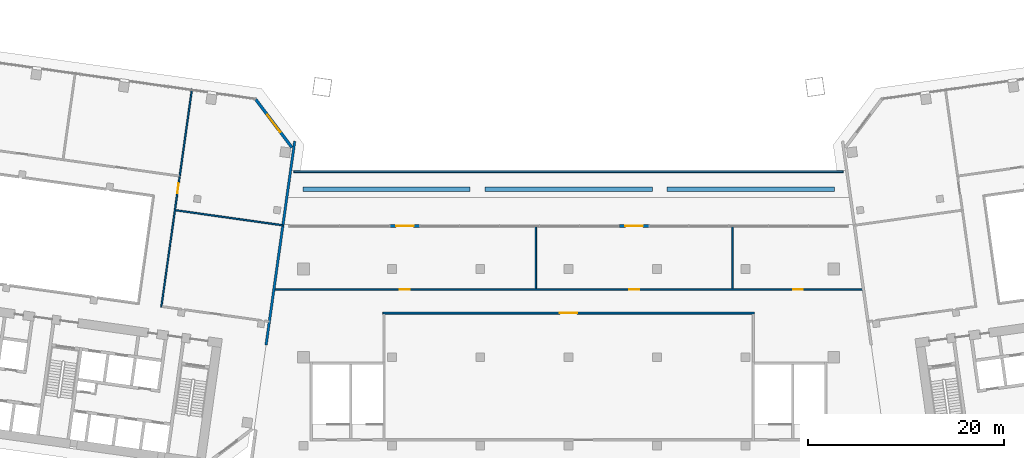
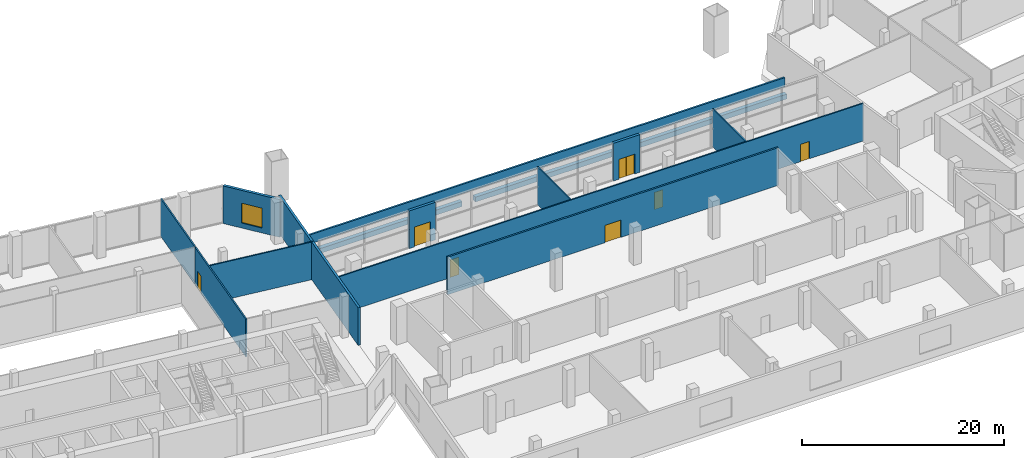
# One storey, part 14 of 21: 15 walls, 7 doors, 1 window, 8 openings.
"""IFC4 building model written with IfcOpenShell, lengths in metres."""

import ifcopenshell
import ifcopenshell.guid

model = None  # the IFC model being written
_history = None  # IfcOwnerHistory: only IFC2X3 demands one
_inside = {}  # id of a spatial element -> (the spatial element, [elements in it])
_under = {}  # id of a project, library or spatial element -> (it, [spatial elements below it])
_declared = {}  # id of a project -> (the project, [libraries it declares])
_typed = {}  # id of a type object -> (the type object, [elements of that type])
_made_of = {}  # id of a material, layer set ... -> (it, [elements and type objects made of it])


def new_model(schema):
    """Start an empty IFC model of exactly this schema.

    Asked for "IFC4X3", IfcOpenShell would pick the latest addendum, in which some entities
    have other attributes; the version numbers below select the first issue.
    IFC2X3 requires an IfcOwnerHistory on every rooted entity: one is made here for all.
    """
    global model, _history
    if schema == "IFC4X3":
        model = ifcopenshell.file(schema_version=(4, 3, 0, 0))
    else:
        model = ifcopenshell.file(schema=schema)
    _inside.clear()
    _under.clear()
    _declared.clear()
    _typed.clear()
    _made_of.clear()
    _history = None
    if model.schema == "IFC2X3":
        org = make("IfcOrganization", Name="unknown")
        user = make(
            "IfcPersonAndOrganization",
            ThePerson=make("IfcPerson", FamilyName="unknown"),
            TheOrganization=org,
        )
        app = make(
            "IfcApplication",
            ApplicationDeveloper=org,
            Version="unknown",
            ApplicationFullName="unknown",
            ApplicationIdentifier="unknown",
        )
        _history = make(
            "IfcOwnerHistory",
            OwningUser=user,
            OwningApplication=app,
            ChangeAction="ADDED",
            CreationDate=0,
        )
    return model


def make(cls, **values):
    """One entity of the class cls with the attributes given. An attribute that is None is left unset."""
    return model.create_entity(
        cls, **{name: value for name, value in values.items() if value is not None}
    )


def rooted(cls, **values):
    """An entity with a GlobalId (a new one), such as an element, a storey or a relation."""
    return make(cls, GlobalId=ifcopenshell.guid.new(), OwnerHistory=_history, **values)


def si_unit(unit_type, name, prefix=None):
    """IfcSIUnit, for example si_unit("LENGTHUNIT", "METRE", prefix="MILLI")."""
    return make("IfcSIUnit", UnitType=unit_type, Prefix=prefix, Name=name)


def assignment(units):
    """IfcUnitAssignment: the units of a project."""
    return None if units is None else make("IfcUnitAssignment", Units=units)


def point(xyz):
    """IfcCartesianPoint."""
    return None if xyz is None else make("IfcCartesianPoint", Coordinates=xyz)


def direction(xyz):
    """IfcDirection."""
    return None if xyz is None else make("IfcDirection", DirectionRatios=xyz)


def frame(location, z_axis=None, x_axis=None):
    """IfcAxis2Placement3D, a coordinate frame: its origin and axes. An axis left out is left unset."""
    return make(
        "IfcAxis2Placement3D",
        Location=point(location),
        Axis=direction(z_axis),
        RefDirection=direction(x_axis),
    )


def frame_2d(location, x_axis=None):
    """IfcAxis2Placement2D, a coordinate frame in the plane: its origin and x axis."""
    return make(
        "IfcAxis2Placement2D", Location=point(location), RefDirection=direction(x_axis)
    )


def origin():
    """The frame at (0, 0, 0) with its axes left unset."""
    return frame((0.0, 0.0, 0.0))


def place(relative_to, where):
    """IfcLocalPlacement: puts the frame where relative to a parent placement (None: the world)."""
    return make(
        "IfcLocalPlacement", PlacementRelTo=relative_to, RelativePlacement=where
    )


def context(
    kind, dimensions, precision=None, world=None, true_north=None, identifier=None
):
    """IfcGeometricRepresentationContext, for example the 3D "Model" context."""
    return make(
        "IfcGeometricRepresentationContext",
        ContextIdentifier=identifier,
        ContextType=kind,
        CoordinateSpaceDimension=dimensions,
        Precision=precision,
        WorldCoordinateSystem=world,
        TrueNorth=true_north,
    )


def subcontext(parent, identifier, kind, view, scale=None):
    """IfcGeometricRepresentationSubContext, for example "Body" below "Model"."""
    return make(
        "IfcGeometricRepresentationSubContext",
        ContextIdentifier=identifier,
        ContextType=kind,
        ParentContext=parent,
        TargetScale=scale,
        TargetView=view,
    )


def project(units=None, contexts=None):
    """IfcProject with its units and contexts."""
    return rooted(
        "IfcProject",
        Name="project",
        RepresentationContexts=contexts,
        UnitsInContext=assignment(units),
    )


def spatial(cls, under=None, at=None, **own):
    """A site, building, storey or space (cls), placed at a placement, below another one or the project."""
    s = rooted(cls, ObjectPlacement=at, **own)
    if under is not None:
        _under.setdefault(under.id(), (under, []))[1].append(s)
    return s


def profile(cls, at=None, kind="AREA", **sizes):
    """A parametric profile (cls). Its sizes go by their IFC names, for example OverallWidth=200.0."""
    return make(cls, ProfileType=kind, Position=at, **sizes)


def rectangle(**sizes):
    """IfcRectangleProfileDef."""
    return profile("IfcRectangleProfileDef", **sizes)


def extrude(swept, where, along, depth):
    """IfcExtrudedAreaSolid: the profile swept, set in the frame where, extruded along a direction by depth."""
    return make(
        "IfcExtrudedAreaSolid",
        SweptArea=swept,
        Position=where,
        ExtrudedDirection=direction(along),
        Depth=depth,
    )


def shape(context_of_items, identifier, shape_type, items):
    """IfcShapeRepresentation: the items that make up one representation, for example the "Body"."""
    return make(
        "IfcShapeRepresentation",
        ContextOfItems=context_of_items,
        RepresentationIdentifier=identifier,
        RepresentationType=shape_type,
        Items=items,
    )


def material(Name=None, Category=None):
    """IfcMaterial."""
    return make("IfcMaterial", Name=Name, Category=Category)


def layer(
    of_material, thickness, ventilated=None, Name=None, Category=None, Priority=None
):
    """IfcMaterialLayer: one layer of a wall or slab, of a material (None: an air gap)."""
    return make(
        "IfcMaterialLayer",
        Material=of_material,
        LayerThickness=thickness,
        IsVentilated=ventilated,
        Name=Name,
        Category=Category,
        Priority=Priority,
    )


def layer_set(layers, Name=None):
    """IfcMaterialLayerSet."""
    return make("IfcMaterialLayerSet", MaterialLayers=layers, LayerSetName=Name)


def made_of(thing, what):
    """Note that an element or type object is made of a material, layer set ...; save() writes the relation."""
    if what is not None:
        _made_of.setdefault(what.id(), (what, []))[1].append(thing)
    return thing


def type_object(cls, material=None, **own):
    """A type object (cls), such as IfcWallType, which elements share."""
    return made_of(rooted(cls, **own), material)


def element(
    cls,
    number,
    at=None,
    inside=None,
    cuts=None,
    type_object=None,
    material=None,
    context=None,
    identifier="Body",
    shape_type=None,
    held_by="IfcProductDefinitionShape",
    body=None,
    shapes=None,
    **own,
):
    """One element of the class cls, such as IfcWall. Its Tag is "e" and its number.

    at: its placement. inside: the storey or other place that contains it. cuts: it is an
    opening in that element (IfcRelVoidsElement). A single representation is given by context,
    identifier, shape_type and body (its items); several are given by shapes. held_by: the class
    of the entity that holds the representations. save() writes the other relations.
    """
    e = rooted(cls, Tag="e%d" % number, ObjectPlacement=at, **own)
    if body is not None:
        shapes = [shape(context, identifier, shape_type, body)]
    if shapes is not None:
        e.Representation = make(held_by, Representations=shapes)
    if inside is not None:
        _inside.setdefault(inside.id(), (inside, []))[1].append(e)
    if cuts is not None:
        rooted(
            "IfcRelVoidsElement", RelatingBuildingElement=cuts, RelatedOpeningElement=e
        )
    if type_object is not None:
        _typed.setdefault(type_object.id(), (type_object, []))[1].append(e)
    return made_of(e, material)


def fill(opening, filler):
    """IfcRelFillsElement: the door or window that sits in an opening."""
    return rooted(
        "IfcRelFillsElement",
        RelatingOpeningElement=opening,
        RelatedBuildingElement=filler,
    )


def aggregate(whole, parts):
    """IfcRelAggregates: a whole, such as a stair, and the parts it consists of."""
    return rooted("IfcRelAggregates", RelatingObject=whole, RelatedObjects=parts)


def save(model, path):
    """Write the relations noted so far, then the file.

    IfcRelAggregates (storeys below a building ...), IfcRelContainedInSpatialStructure (elements
    in a storey), IfcRelDefinesByType, IfcRelAssociatesMaterial and IfcRelDeclares: one each for
    every whole, place, type object, material and project.
    """
    for whole, parts in _under.values():
        aggregate(whole, parts)
    for where, things in _inside.values():
        rooted(
            "IfcRelContainedInSpatialStructure",
            RelatedElements=things,
            RelatingStructure=where,
        )
    for kind, things in _typed.values():
        rooted("IfcRelDefinesByType", RelatedObjects=things, RelatingType=kind)
    for what, things in _made_of.values():
        rooted("IfcRelAssociatesMaterial", RelatedObjects=things, RelatingMaterial=what)
    for by, libraries in _declared.values():
        rooted("IfcRelDeclares", RelatingContext=by, RelatedDefinitions=libraries)
    model.write(path)


model = new_model("IFC4")

# Units and contexts
model_context = context("Model", 3, precision=1e-05, world=origin(), true_north=direction((0.0, 1.0)))
body_context = subcontext(model_context, "Body", "Model", "MODEL_VIEW")
ifc_project = project(units=[si_unit("LENGTHUNIT", "METRE"), si_unit("AREAUNIT", "SQUARE_METRE"), si_unit("VOLUMEUNIT", "CUBIC_METRE"), si_unit("PLANEANGLEUNIT", "RADIAN"), si_unit("MASSUNIT", "GRAM", prefix="KILO")], contexts=[model_context])

# Site, building, storey
site_placement = place(None, origin())
site = spatial("IfcSite", under=ifc_project, at=site_placement, CompositionType="ELEMENT")
building_placement = place(site_placement, origin())
building = spatial("IfcBuilding", under=site, at=building_placement, Name="Mirante Cascada Hotel Towers", CompositionType="ELEMENT")
storey_placement = place(building_placement, frame((0.0, 0.0, 34.5)))
storey = spatial("IfcBuildingStorey", under=building, at=storey_placement, Name="L05", CompositionType="ELEMENT", Elevation=34.5)

# Wall, openings, doors
ifc_material_1 = material(Name="Masonry block", Category="masonry")
ifc_layer_1 = layer(ifc_material_1, 0.15)
ifc_layer_set_1 = layer_set([ifc_layer_1], Name="Corridor wall 150 block")
wall_type_1 = type_object("IfcWallType", Name="Corridor wall 150 block", PredefinedType="PARTITIONING", material=ifc_layer_set_1)
wall_1_placement = place(storey_placement, frame((-30.0141, -2.1, 0.0), z_axis=(0.0, 0.0, 1.0), x_axis=(1.0, 0.0, 0.0)))
wall_1 = element("IfcWall", 1, at=wall_1_placement, inside=storey, type_object=wall_type_1, Name="Corridor wall P L05", PredefinedType="PARTITIONING", context=body_context, shape_type="SweptSolid", body=[
    extrude(rectangle(XDim=60.0282, YDim=0.15, at=frame_2d((30.0141, 0.0))), origin(), (0.0, 0.0, 1.0), 4.55),
])
opening_1_placement = place(wall_1_placement, frame((12.8396, 0.0, 0.0)))
opening_1 = element("IfcOpeningElement", 2, at=opening_1_placement, cuts=wall_1, Name="Opening DP-L05-12", PredefinedType="OPENING", context=body_context, shape_type="SweptSolid", body=[
    extrude(rectangle(XDim=1.0, YDim=2.1, at=frame_2d((0.5, 1.05))), frame((0.0, 0.075, 0.0), z_axis=(0.0, -1.0, 0.0), x_axis=(1.0, 0.0, 0.0)), (0.0, 0.0, 1.0), 0.15),
])
opening_2_placement = place(wall_1_placement, frame((36.1838, 0.0, 0.0)))
opening_2 = element("IfcOpeningElement", 3, at=opening_2_placement, cuts=wall_1, Name="Opening DP-L05-13", PredefinedType="OPENING", context=body_context, shape_type="SweptSolid", body=[
    extrude(rectangle(XDim=1.0, YDim=2.1, at=frame_2d((0.5, 1.05))), frame((0.0, 0.075, 0.0), z_axis=(0.0, -1.0, 0.0), x_axis=(1.0, 0.0, 0.0)), (0.0, 0.0, 1.0), 0.15),
])
opening_3_placement = place(wall_1_placement, frame((52.8583, 0.0, 0.0)))
opening_3 = element("IfcOpeningElement", 4, at=opening_3_placement, cuts=wall_1, Name="Opening DP-L05-14", PredefinedType="OPENING", context=body_context, shape_type="SweptSolid", body=[
    extrude(rectangle(XDim=1.0, YDim=2.1, at=frame_2d((0.5, 1.05))), frame((0.0, 0.075, 0.0), z_axis=(0.0, -1.0, 0.0), x_axis=(1.0, 0.0, 0.0)), (0.0, 0.0, 1.0), 0.15),
])
ifc_material_2 = material(Name="Timber door leaf", Category="wood")
door_type_1 = type_object("IfcDoorType", Name="Single door 1000x2100", OperationType="NOTDEFINED", PredefinedType="DOOR", material=ifc_material_2)
door_1_placement = place(opening_1_placement, origin())
door_1 = element("IfcDoor", 5, at=door_1_placement, inside=storey, type_object=door_type_1, Name="Door DP-L05-12", OperationType="SINGLE_SWING_RIGHT", OverallHeight=2.1, OverallWidth=1.0, PredefinedType="DOOR", context=body_context, shape_type="SweptSolid", body=[
    extrude(rectangle(XDim=1.0, YDim=2.1, at=frame_2d((0.5, 1.05))), frame((0.0, 0.025, 0.0), z_axis=(0.0, -1.0, 0.0), x_axis=(1.0, 0.0, 0.0)), (0.0, 0.0, 1.0), 0.05),
])
fill(opening_1, door_1)
door_2_placement = place(opening_2_placement, origin())
door_2 = element("IfcDoor", 6, at=door_2_placement, inside=storey, type_object=door_type_1, Name="Door DP-L05-13", OperationType="SINGLE_SWING_LEFT", OverallHeight=2.1, OverallWidth=1.0, PredefinedType="DOOR", context=body_context, shape_type="SweptSolid", body=[
    extrude(rectangle(XDim=1.0, YDim=2.1, at=frame_2d((0.5, 1.05))), frame((0.0, 0.025, 0.0), z_axis=(0.0, -1.0, 0.0), x_axis=(1.0, 0.0, 0.0)), (0.0, 0.0, 1.0), 0.05),
])
fill(opening_2, door_2)
door_3_placement = place(opening_3_placement, origin())
door_3 = element("IfcDoor", 7, at=door_3_placement, inside=storey, type_object=door_type_1, Name="Door DP-L05-14", OperationType="SINGLE_SWING_RIGHT", OverallHeight=2.1, OverallWidth=1.0, PredefinedType="DOOR", context=body_context, shape_type="SweptSolid", body=[
    extrude(rectangle(XDim=1.0, YDim=2.1, at=frame_2d((0.5, 1.05))), frame((0.0, 0.025, 0.0), z_axis=(0.0, -1.0, 0.0), x_axis=(1.0, 0.0, 0.0)), (0.0, 0.0, 1.0), 0.05),
])
fill(opening_3, door_3)

# Wall, opening, door
wall_2_placement = place(storey_placement, frame((-41.4756, -3.8964, 0.0), z_axis=(0.0, 0.0, 1.0), x_axis=(0.1391716, 0.9902683, 0.0)))
wall_2 = element("IfcWall", 8, at=wall_2_placement, inside=storey, type_object=wall_type_1, Name="Corridor wall T1 L05", PredefinedType="PARTITIONING", context=body_context, shape_type="SweptSolid", body=[
    extrude(rectangle(XDim=13.4, YDim=0.15, at=frame_2d((6.7, 0.0))), origin(), (0.0, 0.0, 1.0), 4.55),
])
opening_4_placement = place(wall_2_placement, frame((11.7325, 0.0, 0.0)))
opening_4 = element("IfcOpeningElement", 9, at=opening_4_placement, cuts=wall_2, Name="Opening DP1-L05-02", PredefinedType="OPENING", context=body_context, shape_type="SweptSolid", body=[
    extrude(rectangle(XDim=1.0, YDim=2.1, at=frame_2d((0.5, 1.05))), frame((0.0, 0.075, 0.0), z_axis=(0.0, -1.0, 0.0), x_axis=(1.0, 0.0, 0.0)), (0.0, 0.0, 1.0), 0.15),
])
door_4_placement = place(opening_4_placement, frame((1.0, 0.0, 0.0), z_axis=(0.0, 0.0, 1.0), x_axis=(-1.0, 0.0, 0.0)))
door_4 = element("IfcDoor", 10, at=door_4_placement, inside=storey, type_object=door_type_1, Name="Door DP1-L05-02", OperationType="SINGLE_SWING_RIGHT", OverallHeight=2.1, OverallWidth=1.0, PredefinedType="DOOR", context=body_context, shape_type="SweptSolid", body=[
    extrude(rectangle(XDim=1.0, YDim=2.1, at=frame_2d((0.5, 1.05))), frame((0.0, 0.025, 0.0), z_axis=(0.0, -1.0, 0.0), x_axis=(1.0, 0.0, 0.0)), (0.0, 0.0, 1.0), 0.05),
])
fill(opening_4, door_4)

ifc_material_3 = material(Name="Masonry block", Category="masonry")
ifc_layer_2 = layer(ifc_material_3, 0.2)
ifc_layer_set_2 = layer_set([ifc_layer_2], Name="Hall wall 200 block")
wall_type_2 = type_object("IfcWallType", Name="Hall wall 200 block", PredefinedType="PARTITIONING", material=ifc_layer_set_2)
wall_3_placement = place(storey_placement, frame((-18.91, -4.5, 0.0), z_axis=(0.0, 0.0, 1.0), x_axis=(1.0, 0.0, 0.0)))
wall_3 = element("IfcWall", 11, at=wall_3_placement, inside=storey, type_object=wall_type_2, Name="Hall wall P L05", PredefinedType="PARTITIONING", context=body_context, shape_type="SweptSolid", body=[
    extrude(rectangle(XDim=37.82, YDim=0.2, at=frame_2d((18.91, 0.0))), origin(), (0.0, 0.0, 1.0), 4.55),
])
opening_5_placement = place(wall_3_placement, frame((18.01, 0.0, 0.0)))
opening_5 = element("IfcOpeningElement", 12, at=opening_5_placement, cuts=wall_3, Name="Opening DP-L05-06", PredefinedType="OPENING", context=body_context, shape_type="SweptSolid", body=[
    extrude(rectangle(XDim=1.8, YDim=2.1, at=frame_2d((0.9, 1.05))), frame((0.0, 0.1, 0.0), z_axis=(0.0, -1.0, 0.0), x_axis=(1.0, 0.0, 0.0)), (0.0, 0.0, 1.0), 0.2),
])
ifc_material_4 = material(Name="Timber door leaf", Category="wood")
door_type_2 = type_object("IfcDoorType", Name="Double door 1800x2100", OperationType="DOUBLE_DOOR_SINGLE_SWING", PredefinedType="DOOR", material=ifc_material_4)
door_5_placement = place(opening_5_placement, origin())
door_5 = element("IfcDoor", 13, at=door_5_placement, inside=storey, type_object=door_type_2, Name="Door DP-L05-06", OperationType="DOUBLE_DOOR_SINGLE_SWING", OverallHeight=2.1, OverallWidth=1.8, PredefinedType="DOOR", context=body_context, shape_type="SweptSolid", body=[
    extrude(rectangle(XDim=0.895, YDim=2.1, at=frame_2d((0.4475, 1.05))), frame((0.0, 0.025, 0.0), z_axis=(0.0, -1.0, 0.0), x_axis=(1.0, 0.0, 0.0)), (0.0, 0.0, 1.0), 0.05),
    extrude(rectangle(XDim=0.895, YDim=2.1, at=frame_2d((1.3525, 1.05))), frame((0.0, 0.025, 0.0), z_axis=(0.0, -1.0, 0.0), x_axis=(1.0, 0.0, 0.0)), (0.0, 0.0, 1.0), 0.05),
])
fill(opening_5, door_5)

# Walls
ifc_material_5 = material(Name="Masonry block", Category="masonry")
ifc_layer_3 = layer(ifc_material_5, 0.15)
ifc_layer_set_3 = layer_set([ifc_layer_3], Name="Partition 150 block")
wall_type_3 = type_object("IfcWallType", Name="Partition 150 block", PredefinedType="PARTITIONING", material=ifc_layer_set_3)
for number, where, z_axis, x_axis, name in (
    (14, (16.6745, -2.025, 0.0), (0.0, 0.0, 1.0), (0.0, 1.0, 0.0), "Partition P L05"),
    (15, (-3.3349, -2.025, 0.0), (0.0, 0.0, 1.0), (0.0, 1.0, 0.0), "Partition P L05"),
):
    element("IfcWall", number, at=place(storey_placement, frame(where, z_axis=z_axis, x_axis=x_axis)), inside=storey, type_object=wall_type_3, Name=name, PredefinedType="PARTITIONING", context=body_context, shape_type="SweptSolid", body=[
        extrude(rectangle(XDim=6.525, YDim=0.15, at=frame_2d((3.2625, 0.0))), origin(), (0.0, 0.0, 1.0), 4.55),
    ])
wall_4_placement = place(storey_placement, frame((-40.0131, 5.9711, 0.0), z_axis=(0.0, 0.0, 1.0), x_axis=(0.9902679, -0.1391746, 0.0)))
element("IfcWall", 16, at=wall_4_placement, inside=storey, type_object=wall_type_3, Name="Partition T1 L05", PredefinedType="PARTITIONING", context=body_context, shape_type="SweptSolid", body=[
    extrude(rectangle(XDim=11.025, YDim=0.15, at=frame_2d((5.5125, 0.0))), origin(), (0.0, 0.0, 1.0), 4.55),
])
wall_5_placement = place(storey_placement, frame((-39.5912, 9.5119, 0.0), z_axis=(0.0, 0.0, 1.0), x_axis=(0.1391725, 0.9902682, 0.0)))
element("IfcWall", 17, at=wall_5_placement, inside=storey, type_object=wall_type_3, Name="Partition T1 L05", PredefinedType="PARTITIONING", context=body_context, shape_type="SweptSolid", body=[
    extrude(rectangle(XDim=8.935, YDim=0.15, at=frame_2d((4.4675, 0.0))), origin(), (0.0, 0.0, 1.0), 4.55),
])
ifc_material_6 = material(Name="Masonry block", Category="masonry")
ifc_layer_4 = layer(ifc_material_6, 0.25)
ifc_layer_set_4 = layer_set([ifc_layer_4], Name="Plant room wall 250 block EI 120")
wall_type_4 = type_object("IfcWallType", Name="Plant room wall 250 block EI 120", PredefinedType="PARTITIONING", material=ifc_layer_set_4)
wall_6_placement = place(storey_placement, frame((-30.8072, -7.7436, 0.0), z_axis=(0.0, 0.0, 1.0), x_axis=(0.1391737, 0.990268, 0.0)))
element("IfcWall", 18, at=wall_6_placement, inside=storey, type_object=wall_type_4, Name="Compartment wall T1 L05", PredefinedType="PARTITIONING", context=body_context, shape_type="SweptSolid", body=[
    extrude(rectangle(XDim=20.9501, YDim=0.25, at=frame_2d((10.475, 0.0))), origin(), (0.0, 0.0, 1.0), 4.55),
])
ifc_material_7 = material(Name="Precast concrete C40/50", Category="concrete")
ifc_layer_5 = layer(ifc_material_7, 0.45)
ifc_layer_set_5 = layer_set([ifc_layer_5], Name="Planter wall 450 concrete C40/50")
wall_type_5 = type_object("IfcWallType", Name="Planter wall 450 concrete C40/50", PredefinedType="PARAPET", material=ifc_layer_set_5)
wall_7_placement = place(storey_placement, frame((-27.0658, 8.1, 0.0), z_axis=(0.0, 0.0, 1.0), x_axis=(1.0, 0.0, 0.0)))
element("IfcWall", 19, at=wall_7_placement, inside=storey, type_object=wall_type_5, Name="PLANTER podium L04 bed 1.1", PredefinedType="PARAPET", context=body_context, shape_type="SweptSolid", body=[
    extrude(rectangle(XDim=17.0439, YDim=0.45, at=frame_2d((8.522, 0.0))), origin(), (0.0, 0.0, 1.0), 0.6),
])
wall_8_placement = place(storey_placement, frame((-8.5219, 8.1, 0.0), z_axis=(0.0, 0.0, 1.0), x_axis=(1.0, 0.0, 0.0)))
element("IfcWall", 20, at=wall_8_placement, inside=storey, type_object=wall_type_5, Name="PLANTER podium L04 bed 1.2", PredefinedType="PARAPET", context=body_context, shape_type="SweptSolid", body=[
    extrude(rectangle(XDim=17.0438, YDim=0.45, at=frame_2d((8.5219, 0.0))), origin(), (0.0, 0.0, 1.0), 0.6),
])
wall_9_placement = place(storey_placement, frame((10.0219, 8.1, 0.0), z_axis=(0.0, 0.0, 1.0), x_axis=(1.0, 0.0, 0.0)))
element("IfcWall", 21, at=wall_9_placement, inside=storey, type_object=wall_type_5, Name="PLANTER podium L04 bed 1.3", PredefinedType="PARAPET", context=body_context, shape_type="SweptSolid", body=[
    extrude(rectangle(XDim=17.0439, YDim=0.45, at=frame_2d((8.522, 0.0))), origin(), (0.0, 0.0, 1.0), 0.6),
])

# Wall, opening, window
ifc_material_8 = material(Name="Precast concrete C40/50", Category="concrete")
ifc_layer_6 = layer(ifc_material_8, 0.3)
ifc_layer_set_6 = layer_set([ifc_layer_6], Name="Precast concrete C40/50 cladding wall 300")
wall_type_6 = type_object("IfcWallType", Name="Precast concrete C40/50 cladding wall 300", PredefinedType="STANDARD", material=ifc_layer_set_6)
wall_10_placement = place(storey_placement, frame((-31.857, 17.252, 0.0), z_axis=(0.0, 0.0, 1.0), x_axis=(0.6018141, -0.7986362, 0.0)))
wall_10 = element("IfcWall", 22, at=wall_10_placement, inside=storey, type_object=wall_type_6, Name="Corner cladding wall T1 L05 front inner", PredefinedType="STANDARD", context=body_context, shape_type="SweptSolid", body=[
    extrude(rectangle(XDim=6.1157, YDim=0.3, at=frame_2d((3.0578, 0.0))), origin(), (0.0, 0.0, 1.0), 4.55),
])
opening_6_placement = place(wall_10_placement, frame((1.9578, 0.0, 0.6)))
opening_6 = element("IfcOpeningElement", 23, at=opening_6_placement, cuts=wall_10, Name="Opening W1-05-04", PredefinedType="OPENING", context=body_context, shape_type="SweptSolid", body=[
    extrude(rectangle(XDim=2.2, YDim=2.4, at=frame_2d((1.1, 1.2))), frame((0.0, 0.15, 0.0), z_axis=(0.0, -1.0, 0.0), x_axis=(1.0, 0.0, 0.0)), (0.0, 0.0, 1.0), 0.3),
])
ifc_material_9 = material(Name="Aluminium frame with clear double glazing", Category="aluminium")
window_type = type_object("IfcWindowType", Name="Corner suite window 2200x2400", PartitioningType="DOUBLE_PANEL_VERTICAL", PredefinedType="WINDOW", material=ifc_material_9)
window_placement = place(opening_6_placement, origin())
window = element("IfcWindow", 24, at=window_placement, inside=storey, type_object=window_type, Name="Window W1-05-04", OverallHeight=2.4, OverallWidth=2.2, PartitioningType="SINGLE_PANEL", PredefinedType="WINDOW", context=body_context, shape_type="SweptSolid", body=[
    extrude(rectangle(XDim=2.2, YDim=2.4, at=frame_2d((1.1, 1.2))), frame((0.0, 0.03, 0.0), z_axis=(0.0, -1.0, 0.0), x_axis=(1.0, 0.0, 0.0)), (0.0, 0.0, 1.0), 0.06),
])
fill(opening_6, window)

# Wall, opening, door
wall_11_placement = place(storey_placement, frame((8.17, 4.35, 0.0), z_axis=(0.0, 0.0, 1.0), x_axis=(-1.0, 0.0, 0.0)))
wall_11 = element("IfcWall", 25, at=wall_11_placement, inside=storey, type_object=wall_type_6, Name="Entrance pier wall L05 P:L05:3:2", PredefinedType="STANDARD", context=body_context, shape_type="SweptSolid", body=[
    extrude(rectangle(XDim=3.0, YDim=0.3, at=frame_2d((1.5, 0.0))), origin(), (0.0, 0.0, 1.0), 4.55),
])
opening_7_placement = place(wall_11_placement, frame((0.6, 0.0, 0.0)))
opening_7 = element("IfcOpeningElement", 26, at=opening_7_placement, cuts=wall_11, Name="Opening DP-05-91", PredefinedType="OPENING", context=body_context, shape_type="SweptSolid", body=[
    extrude(rectangle(XDim=1.8, YDim=2.4, at=frame_2d((0.9, 1.2))), frame((0.0, 0.15, 0.0), z_axis=(0.0, -1.0, 0.0), x_axis=(1.0, 0.0, 0.0)), (0.0, 0.0, 1.0), 0.3),
])
ifc_material_10 = material(Name="Aluminium frame with clear laminated glazing", Category="aluminium")
door_type_3 = type_object("IfcDoorType", Name="Terrace double door 1800x2400", OperationType="DOUBLE_DOOR_SINGLE_SWING", PredefinedType="DOOR", material=ifc_material_10)
door_6_placement = place(opening_7_placement, origin())
door_6 = element("IfcDoor", 27, at=door_6_placement, inside=storey, type_object=door_type_3, Name="Office door DP-05-91", OperationType="DOUBLE_DOOR_SINGLE_SWING", OverallHeight=2.4, OverallWidth=1.8, PredefinedType="DOOR", context=body_context, shape_type="SweptSolid", body=[
    extrude(rectangle(XDim=0.895, YDim=2.4, at=frame_2d((0.4475, 1.2))), frame((0.0, 0.025, 0.0), z_axis=(0.0, -1.0, 0.0), x_axis=(1.0, 0.0, 0.0)), (0.0, 0.0, 1.0), 0.05),
    extrude(rectangle(XDim=0.895, YDim=2.4, at=frame_2d((1.3525, 1.2))), frame((0.0, 0.025, 0.0), z_axis=(0.0, -1.0, 0.0), x_axis=(1.0, 0.0, 0.0)), (0.0, 0.0, 1.0), 0.05),
])
fill(opening_7, door_6)

wall_12_placement = place(storey_placement, frame((-15.174, 4.35, 0.0), z_axis=(0.0, 0.0, 1.0), x_axis=(-1.0, 0.0, 0.0)))
wall_12 = element("IfcWall", 28, at=wall_12_placement, inside=storey, type_object=wall_type_6, Name="Entrance pier wall L05 P:L05:3:4", PredefinedType="STANDARD", context=body_context, shape_type="SweptSolid", body=[
    extrude(rectangle(XDim=3.0, YDim=0.3, at=frame_2d((1.5, 0.0))), origin(), (0.0, 0.0, 1.0), 4.55),
])
opening_8_placement = place(wall_12_placement, frame((0.6, 0.0, 0.0)))
opening_8 = element("IfcOpeningElement", 29, at=opening_8_placement, cuts=wall_12, Name="Opening DP-05-92", PredefinedType="OPENING", context=body_context, shape_type="SweptSolid", body=[
    extrude(rectangle(XDim=1.8, YDim=2.4, at=frame_2d((0.9, 1.2))), frame((0.0, 0.15, 0.0), z_axis=(0.0, -1.0, 0.0), x_axis=(1.0, 0.0, 0.0)), (0.0, 0.0, 1.0), 0.3),
])
door_7_placement = place(opening_8_placement, origin())
door_7 = element("IfcDoor", 30, at=door_7_placement, inside=storey, type_object=door_type_3, Name="Executive boardroom door DP-05-92", OperationType="DOUBLE_DOOR_SINGLE_SWING", OverallHeight=2.4, OverallWidth=1.8, PredefinedType="DOOR", context=body_context, shape_type="SweptSolid", body=[
    extrude(rectangle(XDim=0.895, YDim=2.4, at=frame_2d((0.4475, 1.2))), frame((0.0, 0.025, 0.0), z_axis=(0.0, -1.0, 0.0), x_axis=(1.0, 0.0, 0.0)), (0.0, 0.0, 1.0), 0.05),
    extrude(rectangle(XDim=0.895, YDim=2.4, at=frame_2d((1.3525, 1.2))), frame((0.0, 0.025, 0.0), z_axis=(0.0, -1.0, 0.0), x_axis=(1.0, 0.0, 0.0)), (0.0, 0.0, 1.0), 0.05),
])
fill(opening_8, door_7)

# Wall
ifc_material_11 = material(Name="Precast concrete C40/50", Category="concrete")
ifc_layer_7 = layer(ifc_material_11, 0.2)
ifc_layer_set_7 = layer_set([ifc_layer_7], Name="Terrace parapet wall 200 concrete C40/50")
wall_type_7 = type_object("IfcWallType", Name="Terrace parapet wall 200 concrete C40/50", PredefinedType="PARAPET", material=ifc_layer_set_7)
wall_13_placement = place(storey_placement, frame((27.9741, 9.9, 0.0), z_axis=(0.0, 0.0, 1.0), x_axis=(-1.0, 0.0, 0.0)))
element("IfcWall", 31, at=wall_13_placement, inside=storey, type_object=wall_type_7, Name="Terrace parapet podium L04 1.1.1", PredefinedType="PARAPET", context=body_context, shape_type="SweptSolid", body=[
    extrude(rectangle(XDim=55.9482, YDim=0.2, at=frame_2d((27.9741, 0.0))), origin(), (0.0, 0.0, 1.0), 1.1),
])

save(model, "model.ifc")
